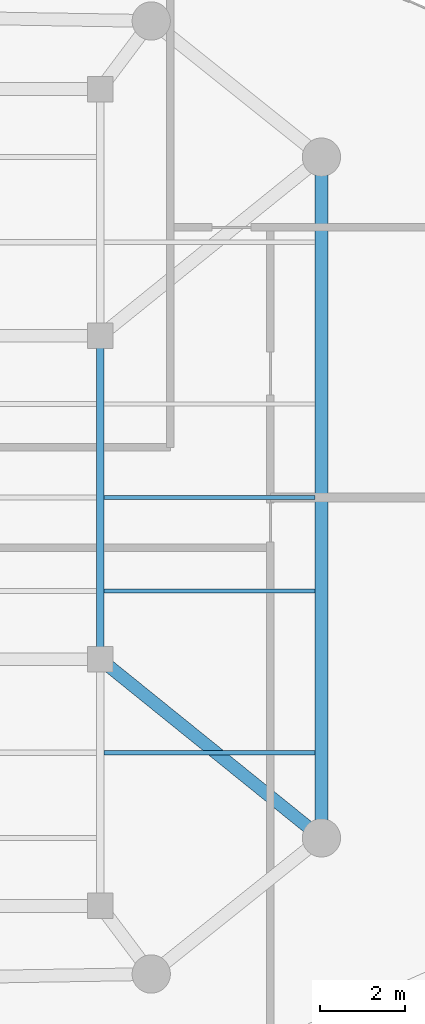
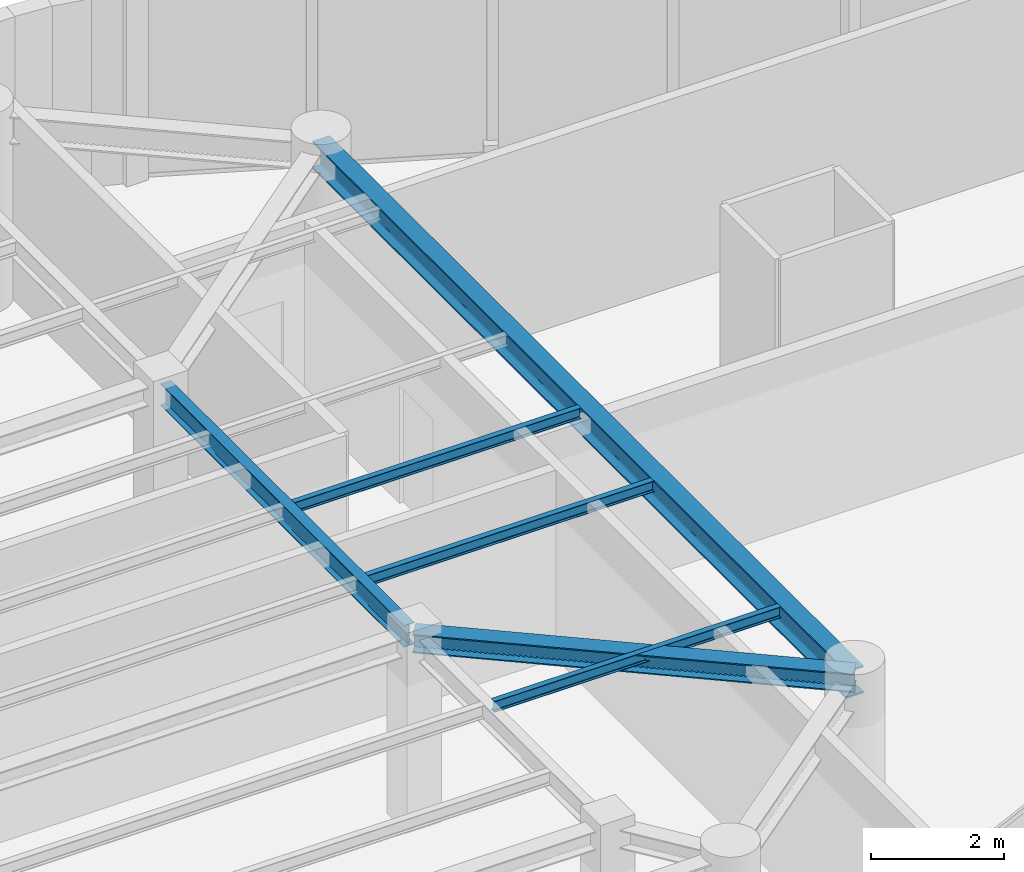
# One storey, part 3 of 13: 6 beams.
"""IFC4 building model written with IfcOpenShell, lengths in metres."""

from ifc_helpers import new_model, si_unit, direction, frame, origin, origin_2d, place, context, subcontext, project, spatial, i_section, extrude, material, material_profile, profile_set, type_object, element, save


model = new_model("IFC4")

# Units and contexts
model_context = context("Model", 3, precision=1e-05, world=origin(), true_north=direction((0.0, 1.0)))
body_context = subcontext(model_context, "Body", "Model", "MODEL_VIEW")
ifc_project = project(units=[si_unit("LENGTHUNIT", "METRE"), si_unit("AREAUNIT", "SQUARE_METRE"), si_unit("VOLUMEUNIT", "CUBIC_METRE"), si_unit("PLANEANGLEUNIT", "RADIAN"), si_unit("MASSUNIT", "GRAM", prefix="KILO")], contexts=[model_context])

# Site, building, storey
site_placement = place(None, origin())
site = spatial("IfcSite", under=ifc_project, at=site_placement, CompositionType="ELEMENT")
building_placement = place(site_placement, origin())
building = spatial("IfcBuilding", under=site, at=building_placement, Name="An Khanh Terracotta Commons", CompositionType="ELEMENT")
storey_placement = place(building_placement, frame((0.0, 0.0, 288.0)))
storey = spatial("IfcBuildingStorey", under=building, at=storey_placement, Name="L75", CompositionType="ELEMENT", Elevation=288.0)

# Beams
ifc_material = material(Name="Steel S355J2", Category="steel")
ifc_material_profile_1 = material_profile(ifc_material, i_section(OverallWidth=0.300048828125, OverallDepth=0.340087890625, WebThickness=0.011962890625, FlangeThickness=0.021484375, FilletRadius=0.027099609375, at=origin_2d()), Name="HEB340")
ifc_profile_set_1 = profile_set([ifc_material_profile_1], Name="Steel S355J2")
beam_type_1 = type_object("IfcBeamType", Name="BM-HEB340", PredefinedType="BEAM", material=ifc_profile_set_1)
beam_1_placement = place(storey_placement, frame((63.39990234375, 16.0, 3.280029296875), z_axis=(-0.777941866883, 0.628336256913, 0.0), x_axis=(-0.628336256913, -0.777941866883, 0.0)))
element("IfcBeam", 1, at=beam_1_placement, inside=storey, type_object=beam_type_1, Name="L75 Mega-Column Tie Girder 3", PredefinedType="BEAM", context=body_context, shape_type="SweptSolid", body=[
    extrude(i_section(OverallWidth=0.300048828125, OverallDepth=0.340087890625, WebThickness=0.011962890625, FlangeThickness=0.021484375, FilletRadius=0.027099609375, at=origin_2d()), origin(), (0.0, 0.0, 1.0), 6.684326171875),
])
ifc_material_profile_2 = material_profile(ifc_material, i_section(OverallWidth=0.300048828125, OverallDepth=0.5, WebThickness=0.014404296875, FlangeThickness=0.028076171875, FilletRadius=0.027099609375, at=origin_2d()), Name="HEB500")
ifc_profile_set_2 = profile_set([ifc_material_profile_2], Name="Steel S355J2")
beam_type_2 = type_object("IfcBeamType", Name="BM-HEB500", PredefinedType="BEAM", material=ifc_profile_set_2)
beam_2_placement = place(storey_placement, frame((63.39990234375, 16.0, 3.199951171875), z_axis=(0.0, 1.0, 0.0), x_axis=(-1.0, 0.0, 0.0)))
element("IfcBeam", 2, at=beam_2_placement, inside=storey, type_object=beam_type_2, Name="L75 Perimeter Ring Spandrel 3", PredefinedType="BEAM", context=body_context, shape_type="SweptSolid", body=[
    extrude(i_section(OverallWidth=0.300048828125, OverallDepth=0.5, WebThickness=0.014404296875, FlangeThickness=0.028076171875, FilletRadius=0.027099609375, at=origin_2d()), origin(), (0.0, 0.0, 1.0), 16.0),
])
ifc_material_profile_3 = material_profile(ifc_material, i_section(OverallWidth=0.10009765625, OverallDepth=0.199951171875, WebThickness=0.005615234375, FlangeThickness=0.008544921875, FilletRadius=0.011962890625, at=origin_2d()), Name="IPE200")
ifc_profile_set_3 = profile_set([ifc_material_profile_3], Name="Steel S355J2")
beam_type_3 = type_object("IfcBeamType", Name="BM-IPE200", PredefinedType="JOIST", material=ifc_profile_set_3)
for number, where, z_axis, x_axis, name in (
    (3, (58.2900390625, 18.0, 3.35009765625), (1.0, 0.0, 0.0), (0.0, 1.0, 0.0), "L75 Riverfront Composite Joist 2"),
    (4, (58.2900390625, 21.800048828125, 3.35009765625), (1.0, 0.0, 0.0), (0.0, 1.0, 0.0), "L75 Riverfront Composite Joist 3"),
    (5, (58.2900390625, 24.0, 3.35009765625), (1.0, 0.0, 0.0), (0.0, 1.0, 0.0), "L75 Riverfront Composite Joist 4"),
):
    element("IfcBeam", number, at=place(storey_placement, frame(where, z_axis=z_axis, x_axis=x_axis)), inside=storey, type_object=beam_type_3, Name=name, PredefinedType="JOIST", context=body_context, shape_type="SweptSolid", body=[
        extrude(i_section(OverallWidth=0.10009765625, OverallDepth=0.199951171875, WebThickness=0.005615234375, FlangeThickness=0.008544921875, FilletRadius=0.011962890625, at=origin_2d()), origin(), (0.0, 0.0, 1.0), 4.9599609375),
    ])
ifc_material_profile_4 = material_profile(ifc_material, i_section(OverallWidth=0.179931640625, OverallDepth=0.39990234375, WebThickness=0.008544921875, FlangeThickness=0.013427734375, FilletRadius=0.02099609375, at=origin_2d()), Name="IPE400")
ifc_profile_set_4 = profile_set([ifc_material_profile_4], Name="Steel S355J2")
beam_type_4 = type_object("IfcBeamType", Name="BM-IPE400", PredefinedType="JOIST", material=ifc_profile_set_4)
beam_3_placement = place(storey_placement, frame((58.199951171875, 20.35009765625, 3.25), z_axis=(0.0, 1.0, 0.0), x_axis=(-1.0, 0.0, 0.0)))
element("IfcBeam", 6, at=beam_3_placement, inside=storey, type_object=beam_type_4, Name="L75 East Spine Girder 2", PredefinedType="JOIST", context=body_context, shape_type="SweptSolid", body=[
    extrude(i_section(OverallWidth=0.179931640625, OverallDepth=0.39990234375, WebThickness=0.008544921875, FlangeThickness=0.013427734375, FilletRadius=0.02099609375, at=origin_2d()), origin(), (0.0, 0.0, 1.0), 7.2998046875),
])

save(model, "model.ifc")
